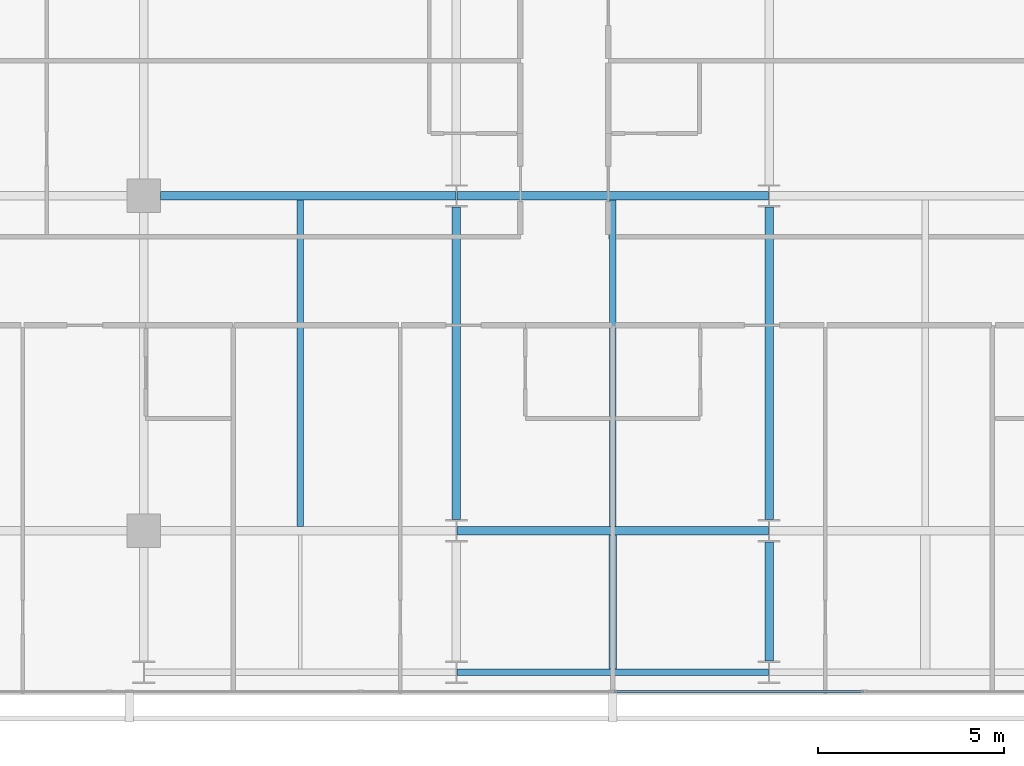
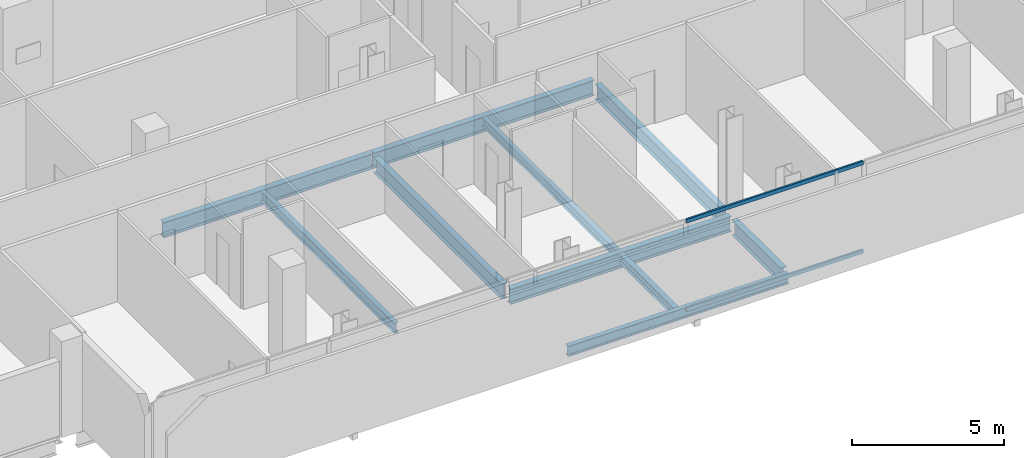
# One storey, part 7 of 33: 10 beams, 2 members, 1 element without a shape of its own.
"""IFC4 building model written with IfcOpenShell, lengths in metres."""

from ifc_helpers import new_model, si_unit, direction, frame, origin, origin_2d, place, context, subcontext, project, spatial, hollow_rectangle, i_section, extrude, material, layer, layer_set, material_profile, profile_set, type_object, element, aggregate, save


model = new_model("IFC4")

# Units and contexts
model_context = context("Model", 3, precision=1e-05, world=origin(), true_north=direction((0.0, 1.0)))
body_context = subcontext(model_context, "Body", "Model", "MODEL_VIEW")
ifc_project = project(units=[si_unit("LENGTHUNIT", "METRE"), si_unit("AREAUNIT", "SQUARE_METRE"), si_unit("VOLUMEUNIT", "CUBIC_METRE"), si_unit("PLANEANGLEUNIT", "RADIAN"), si_unit("MASSUNIT", "GRAM", prefix="KILO")], contexts=[model_context])

# Site, building, storey
site_placement = place(None, origin())
site = spatial("IfcSite", under=ifc_project, at=site_placement, CompositionType="ELEMENT")
building_placement = place(site_placement, origin())
building = spatial("IfcBuilding", under=site, at=building_placement, Name="Maruvema Waterfront Hotel and Observation Tower", CompositionType="ELEMENT")
storey_placement = place(building_placement, frame((0.0, 0.0, 142.800048828125)))
storey = spatial("IfcBuildingStorey", under=building, at=storey_placement, Name="L34", CompositionType="ELEMENT", Elevation=142.800048828125)

# Curtain wall, members
ifc_material_1 = material(Name="Anodised bronze aluminium and solar-control low-E IGU", Category="aluminium")
ifc_layer = layer(ifc_material_1, 0.159912109375, Name="Zone 2 Amber Inner Thermal Curtain Wall System CW-03")
ifc_layer_set = layer_set([ifc_layer], Name="Anodised bronze aluminium and solar-control low-E IGU")
curtain_wall_type = type_object("IfcCurtainWallType", Name="Zone 2 Amber Inner Thermal Curtain Wall System CW-03", PredefinedType="USERDEFINED", material=ifc_layer_set)
curtain_wall_placement = place(storey_placement, origin())
curtain_wall = element("IfcCurtainWall", 1, at=curtain_wall_placement, inside=storey, type_object=curtain_wall_type, Name="L34 Curtain Wall CW-L34-S", ObjectType="UNITISED CURTAIN WALL", PredefinedType="USERDEFINED")
ifc_material_2 = material(Name="Anodised architectural bronze aluminium", Category="aluminium")
ifc_material_profile_1 = material_profile(ifc_material_2, hollow_rectangle(XDim=0.070068359375, YDim=0.14990234375, WallThickness=0.00390625, at=origin_2d()), Name="ALU-T70x150")
ifc_profile_set_1 = profile_set([ifc_material_profile_1], Name="Anodised architectural bronze aluminium")
member_type = type_object("IfcMemberType", Name="Curtain Wall Horizontal Transom ALU-T70x150", PredefinedType="USERDEFINED", material=ifc_profile_set_1)
member_1_placement = place(storey_placement, frame((37.830078125, 4.679931640625, 0.030029296875), z_axis=(1.0, 0.0, 0.0), x_axis=(0.0, 1.0, 0.0)))
member_1 = element("IfcMember", 2, at=member_1_placement, type_object=member_type, Name="CW-03 transom 4.1", ObjectType="TRANSOM", PredefinedType="USERDEFINED", context=body_context, shape_type="SweptSolid", body=[
    extrude(hollow_rectangle(XDim=0.070068359375, YDim=0.14990234375, WallThickness=0.00390625, at=origin_2d()), origin(), (0.0, 0.0, 1.0), 6.70654296875),
])
member_2_placement = place(storey_placement, frame((37.830078125, 4.679931640625, 3.579833984375), z_axis=(1.0, 0.0, 0.0), x_axis=(0.0, 1.0, 0.0)))
member_2 = element("IfcMember", 3, at=member_2_placement, type_object=member_type, Name="CW-03 transom 4.2", ObjectType="TRANSOM", PredefinedType="USERDEFINED", context=body_context, shape_type="SweptSolid", body=[
    extrude(hollow_rectangle(XDim=0.070068359375, YDim=0.14990234375, WallThickness=0.00390625, at=origin_2d()), origin(), (0.0, 0.0, 1.0), 6.70654296875),
])
aggregate(curtain_wall, [member_1, member_2])

# Beams
ifc_material_3 = material(Name="Steel ASTM A572 Grade 50", Category="steel")
ifc_material_profile_2 = material_profile(ifc_material_3, i_section(OverallWidth=0.180908203125, OverallDepth=0.4169921875, WebThickness=0.010986328125, FlangeThickness=0.018310546875, FilletRadius=0.014892578125, at=origin_2d()), Name="W410x85.0")
ifc_profile_set_2 = profile_set([ifc_material_profile_2], Name="Steel ASTM A572 Grade 50")
beam_type_1 = type_object("IfcBeamType", Name="Perimeter Spandrel Beam W410x85.0", PredefinedType="SPANDREL", material=ifc_profile_set_2)
beam_1_placement = place(storey_placement, frame((33.612548828125, 5.199951171875, -0.448486328125), z_axis=(1.0, 0.0, 0.0), x_axis=(0.0, 1.0, 0.0)))
element("IfcBeam", 4, at=beam_1_placement, inside=storey, type_object=beam_type_1, Name="L34 Floor Girder EW-02", PredefinedType="SPANDREL", context=body_context, shape_type="SweptSolid", body=[
    extrude(i_section(OverallWidth=0.180908203125, OverallDepth=0.4169921875, WebThickness=0.010986328125, FlangeThickness=0.018310546875, FilletRadius=0.014892578125, at=origin_2d()), origin(), (0.0, 0.0, 1.0), 8.375),
])
ifc_material_4 = material(Name="Steel ASTM A572 Grade 50", Category="steel")
ifc_material_profile_3 = material_profile(ifc_material_4, i_section(OverallWidth=0.22900390625, OverallDepth=0.612060546875, WebThickness=0.011962890625, FlangeThickness=0.01953125, FilletRadius=0.01806640625, at=origin_2d()), Name="W610x125.0")
ifc_profile_set_3 = profile_set([ifc_material_profile_3], Name="Steel ASTM A572 Grade 50")
beam_type_2 = type_object("IfcBeamType", Name="Primary Floor Girder W610x125.0", PredefinedType="BEAM", material=ifc_profile_set_3)
beam_2_placement = place(storey_placement, frame((33.612548828125, 9.0, -0.546142578125), z_axis=(1.0, 0.0, 0.0), x_axis=(0.0, 1.0, 0.0)))
element("IfcBeam", 5, at=beam_2_placement, inside=storey, type_object=beam_type_2, Name="L34 Floor Girder EW-07", PredefinedType="BEAM", context=body_context, shape_type="SweptSolid", body=[
    extrude(i_section(OverallWidth=0.22900390625, OverallDepth=0.612060546875, WebThickness=0.011962890625, FlangeThickness=0.01953125, FilletRadius=0.01806640625, at=origin_2d()), origin(), (0.0, 0.0, 1.0), 8.375),
])
beam_3_placement = place(storey_placement, frame((25.64990234375, 18.0, -0.546142578125), z_axis=(1.0, 0.0, 0.0), x_axis=(0.0, 1.0, 0.0)))
element("IfcBeam", 6, at=beam_3_placement, inside=storey, type_object=beam_type_2, Name="L34 Floor Girder EW-13", PredefinedType="BEAM", context=body_context, shape_type="SweptSolid", body=[
    extrude(i_section(OverallWidth=0.22900390625, OverallDepth=0.612060546875, WebThickness=0.011962890625, FlangeThickness=0.01953125, FilletRadius=0.01806640625, at=origin_2d()), origin(), (0.0, 0.0, 1.0), 7.9375),
])
beam_4_placement = place(storey_placement, frame((33.612548828125, 18.0, -0.546142578125), z_axis=(1.0, 0.0, 0.0), x_axis=(0.0, 1.0, 0.0)))
element("IfcBeam", 7, at=beam_4_placement, inside=storey, type_object=beam_type_2, Name="L34 Floor Girder EW-14", PredefinedType="BEAM", context=body_context, shape_type="SweptSolid", body=[
    extrude(i_section(OverallWidth=0.22900390625, OverallDepth=0.612060546875, WebThickness=0.011962890625, FlangeThickness=0.01953125, FilletRadius=0.01806640625, at=origin_2d()), origin(), (0.0, 0.0, 1.0), 8.375),
])
beam_5_placement = place(storey_placement, frame((33.60009765625, 9.300048828125, -0.546142578125), z_axis=(0.0, 1.0, 0.0), x_axis=(-1.0, 0.0, 0.0)))
element("IfcBeam", 8, at=beam_5_placement, inside=storey, type_object=beam_type_2, Name="L34 Floor Girder NS-15", PredefinedType="BEAM", context=body_context, shape_type="SweptSolid", body=[
    extrude(i_section(OverallWidth=0.22900390625, OverallDepth=0.612060546875, WebThickness=0.011962890625, FlangeThickness=0.01953125, FilletRadius=0.01806640625, at=origin_2d()), origin(), (0.0, 0.0, 1.0), 8.39990234375),
])
beam_6_placement = place(storey_placement, frame((42.0, 5.5, -0.546142578125), z_axis=(0.0, 1.0, 0.0), x_axis=(-1.0, 0.0, 0.0)))
element("IfcBeam", 9, at=beam_6_placement, inside=storey, type_object=beam_type_2, Name="L34 Floor Girder NS-17", PredefinedType="BEAM", context=body_context, shape_type="SweptSolid", body=[
    extrude(i_section(OverallWidth=0.22900390625, OverallDepth=0.612060546875, WebThickness=0.011962890625, FlangeThickness=0.01953125, FilletRadius=0.01806640625, at=origin_2d()), origin(), (0.0, 0.0, 1.0), 3.199951171875),
])
beam_7_placement = place(storey_placement, frame((42.0, 9.300048828125, -0.546142578125), z_axis=(0.0, 1.0, 0.0), x_axis=(-1.0, 0.0, 0.0)))
element("IfcBeam", 10, at=beam_7_placement, inside=storey, type_object=beam_type_2, Name="L34 Floor Girder NS-18", PredefinedType="BEAM", context=body_context, shape_type="SweptSolid", body=[
    extrude(i_section(OverallWidth=0.22900390625, OverallDepth=0.612060546875, WebThickness=0.011962890625, FlangeThickness=0.01953125, FilletRadius=0.01806640625, at=origin_2d()), origin(), (0.0, 0.0, 1.0), 8.39990234375),
])
ifc_material_5 = material(Name="Steel ASTM A572 Grade 50", Category="steel")
ifc_material_profile_4 = material_profile(ifc_material_5, i_section(OverallWidth=0.1708984375, OverallDepth=0.35498046875, WebThickness=0.007080078125, FlangeThickness=0.01171875, FilletRadius=0.014892578125, at=origin_2d()), Name="W360x51.0")
ifc_profile_set_4 = profile_set([ifc_material_profile_4], Name="Steel ASTM A572 Grade 50")
beam_type_3 = type_object("IfcBeamType", Name="Secondary Floor Joist W360x51.0", PredefinedType="JOIST", material=ifc_profile_set_4)
beam_8_placement = place(storey_placement, frame((37.800048828125, 9.114501953125, -0.41748046875), z_axis=(0.0, 1.0, 0.0), x_axis=(-1.0, 0.0, 0.0)))
element("IfcBeam", 11, at=beam_8_placement, inside=storey, type_object=beam_type_3, Name="L34 Secondary Floor Joist JS-08", PredefinedType="JOIST", context=body_context, shape_type="SweptSolid", body=[
    extrude(i_section(OverallWidth=0.1708984375, OverallDepth=0.35498046875, WebThickness=0.007080078125, FlangeThickness=0.01171875, FilletRadius=0.014892578125, at=origin_2d()), origin(), (0.0, 0.0, 1.0), 8.77099609375),
])
ifc_material_6 = material(Name="Steel ASTM A572 Grade 50", Category="steel")
ifc_material_profile_5 = material_profile(ifc_material_6, i_section(OverallWidth=0.202880859375, OverallDepth=0.346923828125, WebThickness=0.0078125, FlangeThickness=0.013427734375, FilletRadius=0.014892578125, at=origin_2d()), Name="W360x64.0")
ifc_profile_set_5 = profile_set([ifc_material_profile_5], Name="Steel ASTM A572 Grade 50")
beam_type_4 = type_object("IfcBeamType", Name="Secondary Floor Joist W360x64.0", PredefinedType="JOIST", material=ifc_profile_set_5)
beam_9_placement = place(storey_placement, frame((37.800048828125, 5.29052734375, -0.41357421875), z_axis=(0.0, 1.0, 0.0), x_axis=(-1.0, 0.0, 0.0)))
element("IfcBeam", 12, at=beam_9_placement, inside=storey, type_object=beam_type_4, Name="L34 Secondary Floor Joist JS-07", PredefinedType="JOIST", context=body_context, shape_type="SweptSolid", body=[
    extrude(i_section(OverallWidth=0.202880859375, OverallDepth=0.346923828125, WebThickness=0.0078125, FlangeThickness=0.013427734375, FilletRadius=0.014892578125, at=origin_2d()), origin(), (0.0, 0.0, 1.0), 3.594970703125),
])
ifc_material_7 = material(Name="Steel ASTM A572 Grade 50", Category="steel")
ifc_material_profile_6 = material_profile(ifc_material_7, i_section(OverallWidth=0.177001953125, OverallDepth=0.403076171875, WebThickness=0.007568359375, FlangeThickness=0.010986328125, FilletRadius=0.014892578125, at=origin_2d()), Name="W410x53.0")
ifc_profile_set_6 = profile_set([ifc_material_profile_6], Name="Steel ASTM A572 Grade 50")
beam_type_5 = type_object("IfcBeamType", Name="Secondary Floor Joist W410x53.0", PredefinedType="JOIST", material=ifc_profile_set_6)
beam_10_placement = place(storey_placement, frame((29.39990234375, 9.114501953125, -0.441650390625), z_axis=(0.0, 1.0, 0.0), x_axis=(-1.0, 0.0, 0.0)))
element("IfcBeam", 13, at=beam_10_placement, inside=storey, type_object=beam_type_5, Name="L34 Secondary Floor Joist JS-06", PredefinedType="JOIST", context=body_context, shape_type="SweptSolid", body=[
    extrude(i_section(OverallWidth=0.177001953125, OverallDepth=0.403076171875, WebThickness=0.007568359375, FlangeThickness=0.010986328125, FilletRadius=0.014892578125, at=origin_2d()), origin(), (0.0, 0.0, 1.0), 8.77099609375),
])

save(model, "model.ifc")
